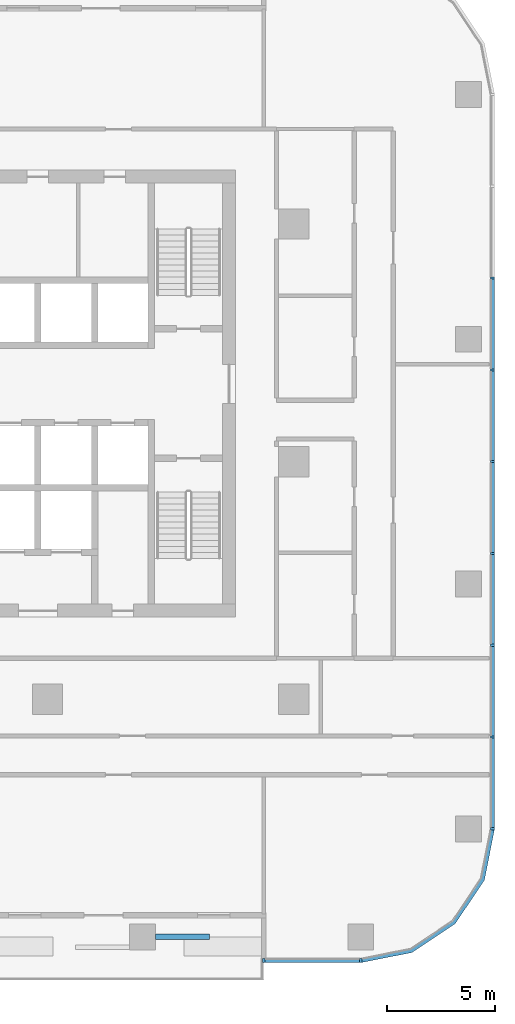
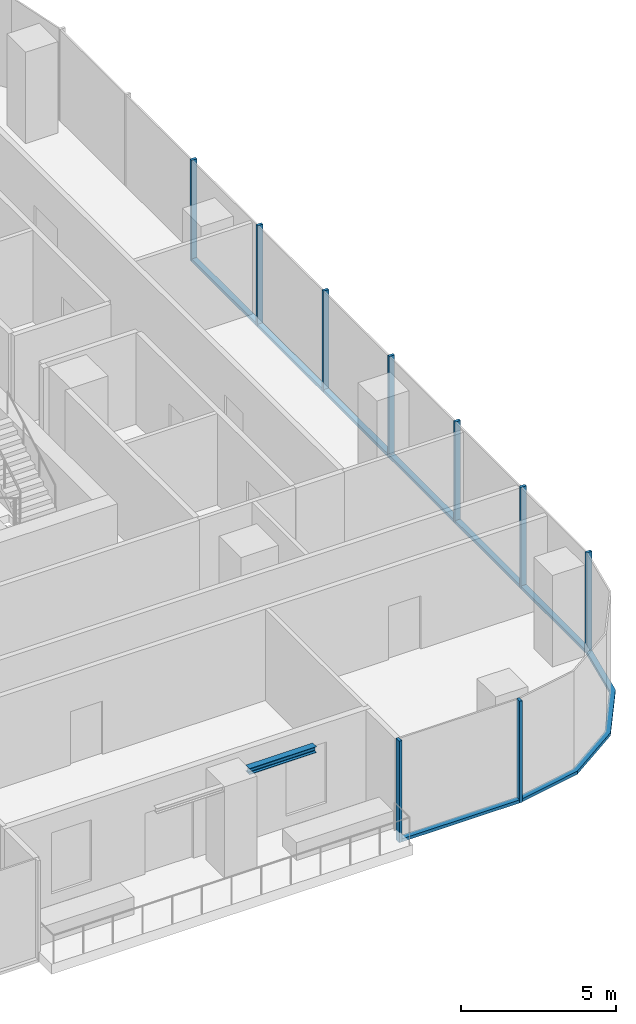
# One storey, part 3 of 14: 17 members, 1 beam, 3 elements without a shape of their own.
"""IFC4 building model written with IfcOpenShell, lengths in metres."""

from ifc_helpers import new_model, si_unit, direction, frame, origin, origin_2d, place, context, subcontext, project, spatial, polyline, rectangle, i_section, outline, extrude, material, material_profile, profile_set, type_object, element, aggregate, save


model = new_model("IFC4")

# Units and contexts
model_context = context("Model", 3, precision=1e-05, world=origin(), true_north=direction((0.0, 1.0)))
body_context = subcontext(model_context, "Body", "Model", "MODEL_VIEW")
ifc_project = project(units=[si_unit("LENGTHUNIT", "METRE"), si_unit("AREAUNIT", "SQUARE_METRE"), si_unit("VOLUMEUNIT", "CUBIC_METRE"), si_unit("PLANEANGLEUNIT", "RADIAN"), si_unit("MASSUNIT", "GRAM", prefix="KILO")], contexts=[model_context])

# Site, building, storey
site_placement = place(None, origin())
site = spatial("IfcSite", under=ifc_project, at=site_placement, CompositionType="ELEMENT")
building_placement = place(site_placement, origin())
building = spatial("IfcBuilding", under=site, at=building_placement, Name="Mopane Tessera Tower", CompositionType="ELEMENT")
storey_placement = place(building_placement, frame((0.0, 0.0, 185.0)))
storey = spatial("IfcBuildingStorey", under=building, at=storey_placement, Name="L38", CompositionType="ELEMENT", Elevation=185.0)

# Curtain wall, members
ifc_material_1 = material(Name="Aluminium frame", Category="aluminium")
curtain_wall_type = type_object("IfcCurtainWallType", Name="Unitised curtain wall", PredefinedType="NOTDEFINED", material=ifc_material_1)
curtain_wall_1_placement = place(storey_placement, origin())
curtain_wall_1 = element("IfcCurtainWall", 1, at=curtain_wall_1_placement, inside=storey, type_object=curtain_wall_type, Name="e:cw:L38:S:8", PredefinedType="NOTDEFINED")
ifc_material_2 = material(Name="Aluminium frame", Category="aluminium")
ifc_material_profile_1 = material_profile(ifc_material_2, rectangle(XDim=0.10009765625, YDim=0.199951171875, at=origin_2d()))
ifc_profile_set_1 = profile_set([ifc_material_profile_1], Name="Aluminium frame")
member_type_1 = type_object("IfcMemberType", Name="Aluminium mullion 100 x 200", PredefinedType="MULLION", material=ifc_profile_set_1)
member_1_placement = place(storey_placement, frame((15.711181640625, -23.10009765625, -0.39990234375), z_axis=(0.0, 0.0, 1.0), x_axis=(1.0, 0.0, 0.0)))
member_1 = element("IfcMember", 2, at=member_1_placement, type_object=member_type_1, Name="e:cw:L38:S:8:mu8", PredefinedType="MULLION", context=body_context, shape_type="SweptSolid", body=[
    extrude(rectangle(XDim=0.10009765625, YDim=0.199951171875, at=origin_2d()), origin(), (0.0, 0.0, 1.0), 4.0),
])
member_2_placement = place(storey_placement, frame((20.199951171875, -23.10009765625, -0.39990234375), z_axis=(0.0, 0.0, 1.0), x_axis=(1.0, 0.0, 0.0)))
member_2 = element("IfcMember", 3, at=member_2_placement, type_object=member_type_1, Name="e:cw:L38:S:8:mu9", PredefinedType="MULLION", context=body_context, shape_type="SweptSolid", body=[
    extrude(rectangle(XDim=0.10009765625, YDim=0.199951171875, at=origin_2d()), origin(), (0.0, 0.0, 1.0), 4.0),
])

curtain_wall_2_placement = place(storey_placement, origin())
curtain_wall_2 = element("IfcCurtainWall", 4, at=curtain_wall_2_placement, inside=storey, type_object=curtain_wall_type, Name="e:cw:L38:E:0", PredefinedType="NOTDEFINED")
member_3_placement = place(storey_placement, frame((26.300048828125, -17.0, -0.39990234375), z_axis=(0.0, 0.0, 1.0), x_axis=(0.0, 1.0, 0.0)))
member_3 = element("IfcMember", 5, at=member_3_placement, type_object=member_type_1, Name="e:cw:L38:E:0:mu0", PredefinedType="MULLION", context=body_context, shape_type="SweptSolid", body=[
    extrude(rectangle(XDim=0.10009765625, YDim=0.199951171875, at=origin_2d()), origin(), (0.0, 0.0, 1.0), 4.0),
])
member_4_placement = place(storey_placement, frame((26.300048828125, -12.75, -0.39990234375), z_axis=(0.0, 0.0, 1.0), x_axis=(0.0, 1.0, 0.0)))
member_4 = element("IfcMember", 6, at=member_4_placement, type_object=member_type_1, Name="e:cw:L38:E:0:mu1", PredefinedType="MULLION", context=body_context, shape_type="SweptSolid", body=[
    extrude(rectangle(XDim=0.10009765625, YDim=0.199951171875, at=origin_2d()), origin(), (0.0, 0.0, 1.0), 4.0),
])
member_5_placement = place(storey_placement, frame((26.300048828125, -8.5, -0.39990234375), z_axis=(0.0, 0.0, 1.0), x_axis=(0.0, 1.0, 0.0)))
member_5 = element("IfcMember", 7, at=member_5_placement, type_object=member_type_1, Name="e:cw:L38:E:0:mu2", PredefinedType="MULLION", context=body_context, shape_type="SweptSolid", body=[
    extrude(rectangle(XDim=0.10009765625, YDim=0.199951171875, at=origin_2d()), origin(), (0.0, 0.0, 1.0), 4.0),
])
member_6_placement = place(storey_placement, frame((26.300048828125, -4.25, -0.39990234375), z_axis=(0.0, 0.0, 1.0), x_axis=(0.0, 1.0, 0.0)))
member_6 = element("IfcMember", 8, at=member_6_placement, type_object=member_type_1, Name="e:cw:L38:E:0:mu3", PredefinedType="MULLION", context=body_context, shape_type="SweptSolid", body=[
    extrude(rectangle(XDim=0.10009765625, YDim=0.199951171875, at=origin_2d()), origin(), (0.0, 0.0, 1.0), 4.0),
])
member_7_placement = place(storey_placement, frame((26.300048828125, 0.0, -0.39990234375), z_axis=(0.0, 0.0, 1.0), x_axis=(0.0, 1.0, 0.0)))
member_7 = element("IfcMember", 9, at=member_7_placement, type_object=member_type_1, Name="e:cw:L38:E:0:mu4", PredefinedType="MULLION", context=body_context, shape_type="SweptSolid", body=[
    extrude(rectangle(XDim=0.10009765625, YDim=0.199951171875, at=origin_2d()), origin(), (0.0, 0.0, 1.0), 4.0),
])
member_8_placement = place(storey_placement, frame((26.300048828125, 4.25, -0.39990234375), z_axis=(0.0, 0.0, 1.0), x_axis=(0.0, 1.0, 0.0)))
member_8 = element("IfcMember", 10, at=member_8_placement, type_object=member_type_1, Name="e:cw:L38:E:0:mu5", PredefinedType="MULLION", context=body_context, shape_type="SweptSolid", body=[
    extrude(rectangle(XDim=0.10009765625, YDim=0.199951171875, at=origin_2d()), origin(), (0.0, 0.0, 1.0), 4.0),
])
member_9_placement = place(storey_placement, frame((26.300048828125, 8.5, -0.39990234375), z_axis=(0.0, 0.0, 1.0), x_axis=(0.0, 1.0, 0.0)))
member_9 = element("IfcMember", 11, at=member_9_placement, type_object=member_type_1, Name="e:cw:L38:E:0:mu6", PredefinedType="MULLION", context=body_context, shape_type="SweptSolid", body=[
    extrude(rectangle(XDim=0.10009765625, YDim=0.199951171875, at=origin_2d()), origin(), (0.0, 0.0, 1.0), 4.0),
])

# Member
ifc_material_3 = material(Name="Aluminium frame", Category="aluminium")
ifc_material_profile_2 = material_profile(ifc_material_3, rectangle(XDim=0.199951171875, YDim=0.1201171875, at=origin_2d()))
ifc_profile_set_2 = profile_set([ifc_material_profile_2], Name="Aluminium frame")
member_type_2 = type_object("IfcMemberType", Name="Aluminium transom 200 x 120", PredefinedType="USERDEFINED", material=ifc_profile_set_2)
member_10_placement = place(storey_placement, frame((15.76123046875, -23.10009765625, -0.340087890625), z_axis=(1.0, 0.0, 0.0), x_axis=(0.0, 1.0, 0.0)))
member_10 = element("IfcMember", 12, at=member_10_placement, type_object=member_type_2, Name="e:cw:L38:S:8:tr8", ObjectType="TRANSOM", PredefinedType="USERDEFINED", context=body_context, shape_type="SweptSolid", body=[
    extrude(rectangle(XDim=0.199951171875, YDim=0.1201171875, at=origin_2d()), origin(), (0.0, 0.0, 1.0), 4.388671875),
])

aggregate(curtain_wall_1, [member_1, member_2, member_10])

# Curtain wall, member
curtain_wall_3_placement = place(storey_placement, origin())
curtain_wall_3 = element("IfcCurtainWall", 13, at=curtain_wall_3_placement, inside=storey, type_object=curtain_wall_type, Name="e:cw:L38:CS", PredefinedType="NOTDEFINED")
member_11_placement = place(storey_placement, frame((0.0, 0.0, -0.39990234375)))
member_11 = element("IfcMember", 14, at=member_11_placement, type_object=member_type_2, Name="e:cw:L38:CS:tr", ObjectType="TRANSOM", PredefinedType="USERDEFINED", context=body_context, shape_type="SweptSolid", body=[
    extrude(outline(polyline([(20.199951171875, -23.0), (22.49609375, -22.543212890625), (24.442626953125, -21.24267578125), (25.7431640625, -19.296142578125), (26.199951171875, -17.0), (26.39990234375, -17.0), (25.927978515625, -19.37255859375), (24.583984375, -21.384033203125), (22.57275390625, -22.72802734375), (20.199951171875, -23.199951171875), (20.199951171875, -23.0)])), origin(), (0.0, 0.0, 1.0), 0.119873046875),
])
aggregate(curtain_wall_3, [member_11])

# Member
member_12_placement = place(storey_placement, frame((26.300048828125, -16.949951171875, -0.340087890625), z_axis=(0.0, 1.0, 0.0), x_axis=(-1.0, 0.0, 0.0)))
member_12 = element("IfcMember", 15, at=member_12_placement, type_object=member_type_2, Name="e:cw:L38:E:0:tr0", ObjectType="TRANSOM", PredefinedType="USERDEFINED", context=body_context, shape_type="SweptSolid", body=[
    extrude(rectangle(XDim=0.199951171875, YDim=0.1201171875, at=origin_2d()), origin(), (0.0, 0.0, 1.0), 4.14990234375),
])

member_13_placement = place(storey_placement, frame((26.300048828125, -12.699951171875, -0.340087890625), z_axis=(0.0, 1.0, 0.0), x_axis=(-1.0, 0.0, 0.0)))
member_13 = element("IfcMember", 16, at=member_13_placement, type_object=member_type_2, Name="e:cw:L38:E:0:tr1", ObjectType="TRANSOM", PredefinedType="USERDEFINED", context=body_context, shape_type="SweptSolid", body=[
    extrude(rectangle(XDim=0.199951171875, YDim=0.1201171875, at=origin_2d()), origin(), (0.0, 0.0, 1.0), 4.14990234375),
])

member_14_placement = place(storey_placement, frame((26.300048828125, -8.449951171875, -0.340087890625), z_axis=(0.0, 1.0, 0.0), x_axis=(-1.0, 0.0, 0.0)))
member_14 = element("IfcMember", 17, at=member_14_placement, type_object=member_type_2, Name="e:cw:L38:E:0:tr2", ObjectType="TRANSOM", PredefinedType="USERDEFINED", context=body_context, shape_type="SweptSolid", body=[
    extrude(rectangle(XDim=0.199951171875, YDim=0.1201171875, at=origin_2d()), origin(), (0.0, 0.0, 1.0), 4.14990234375),
])

member_15_placement = place(storey_placement, frame((26.300048828125, -4.199951171875, -0.340087890625), z_axis=(0.0, 1.0, 0.0), x_axis=(-1.0, 0.0, 0.0)))
member_15 = element("IfcMember", 18, at=member_15_placement, type_object=member_type_2, Name="e:cw:L38:E:0:tr3", ObjectType="TRANSOM", PredefinedType="USERDEFINED", context=body_context, shape_type="SweptSolid", body=[
    extrude(rectangle(XDim=0.199951171875, YDim=0.1201171875, at=origin_2d()), origin(), (0.0, 0.0, 1.0), 4.14990234375),
])

member_16_placement = place(storey_placement, frame((26.300048828125, 0.050048828125, -0.340087890625), z_axis=(0.0, 1.0, 0.0), x_axis=(-1.0, 0.0, 0.0)))
member_16 = element("IfcMember", 19, at=member_16_placement, type_object=member_type_2, Name="e:cw:L38:E:0:tr4", ObjectType="TRANSOM", PredefinedType="USERDEFINED", context=body_context, shape_type="SweptSolid", body=[
    extrude(rectangle(XDim=0.199951171875, YDim=0.1201171875, at=origin_2d()), origin(), (0.0, 0.0, 1.0), 4.14990234375),
])

member_17_placement = place(storey_placement, frame((26.300048828125, 4.300048828125, -0.340087890625), z_axis=(0.0, 1.0, 0.0), x_axis=(-1.0, 0.0, 0.0)))
member_17 = element("IfcMember", 20, at=member_17_placement, type_object=member_type_2, Name="e:cw:L38:E:0:tr5", ObjectType="TRANSOM", PredefinedType="USERDEFINED", context=body_context, shape_type="SweptSolid", body=[
    extrude(rectangle(XDim=0.199951171875, YDim=0.1201171875, at=origin_2d()), origin(), (0.0, 0.0, 1.0), 4.14990234375),
])

aggregate(curtain_wall_2, [member_3, member_4, member_5, member_6, member_7, member_8, member_9, member_12, member_13, member_14, member_15, member_16, member_17])

# Beam
ifc_material_4 = material(Name="Structural steel S460", Category="steel")
ifc_material_profile_3 = material_profile(ifc_material_4, i_section(OverallWidth=0.239990234375, OverallDepth=0.239990234375, WebThickness=0.010009765625, FlangeThickness=0.01708984375, FilletRadius=0.02099609375, at=origin_2d()))
ifc_profile_set_3 = profile_set([ifc_material_profile_3], Name="Structural steel S460")
beam_type = type_object("IfcBeamType", Name="Terrace spandrel beam HE 240 B", PredefinedType="SPANDREL", material=ifc_profile_set_3)
beam_placement = place(storey_placement, frame((10.703125, -22.0, 3.47998046875), z_axis=(1.0, 0.0, 0.0), x_axis=(0.0, 1.0, 0.0)))
element("IfcBeam", 21, at=beam_placement, inside=storey, type_object=beam_type, Name="Terrace spandrel beam N2 L39", PredefinedType="SPANDREL", context=body_context, shape_type="SweptSolid", body=[
    extrude(i_section(OverallWidth=0.239990234375, OverallDepth=0.239990234375, WebThickness=0.010009765625, FlangeThickness=0.01708984375, FilletRadius=0.02099609375, at=origin_2d()), origin(), (0.0, 0.0, 1.0), 2.5),
])

save(model, "model.ifc")
